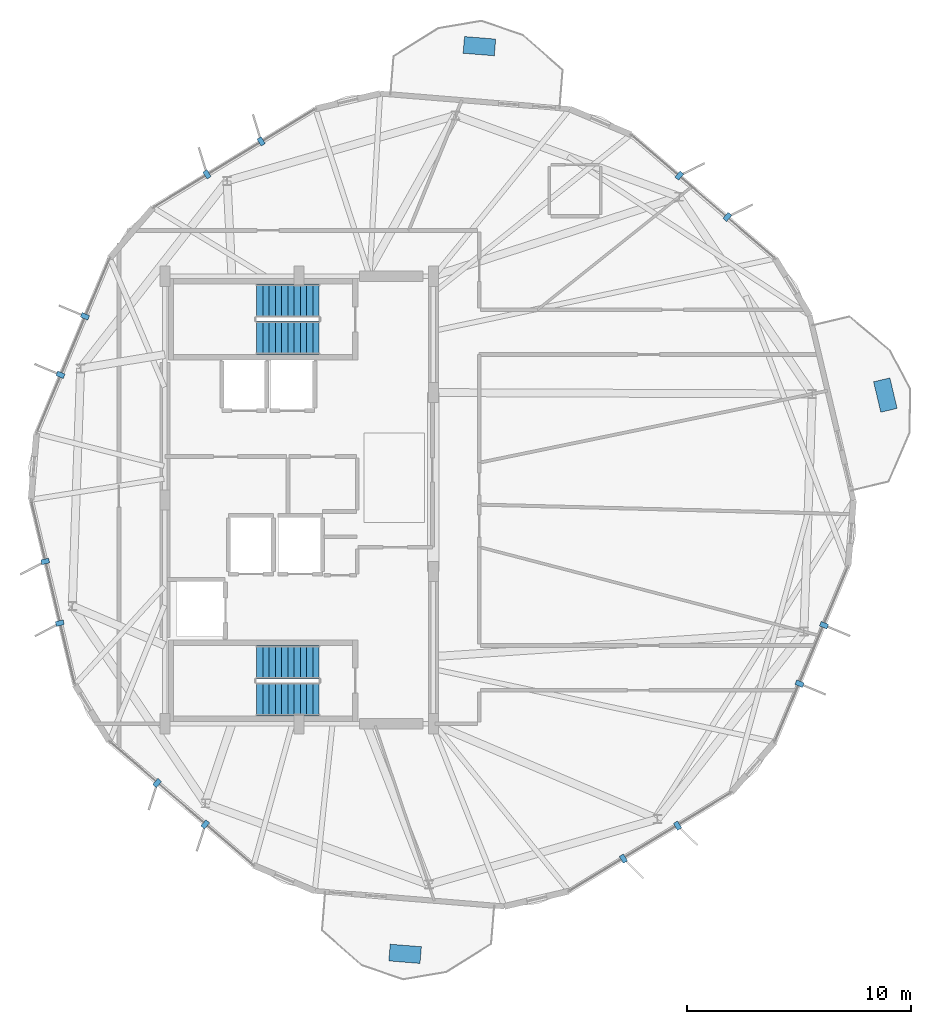
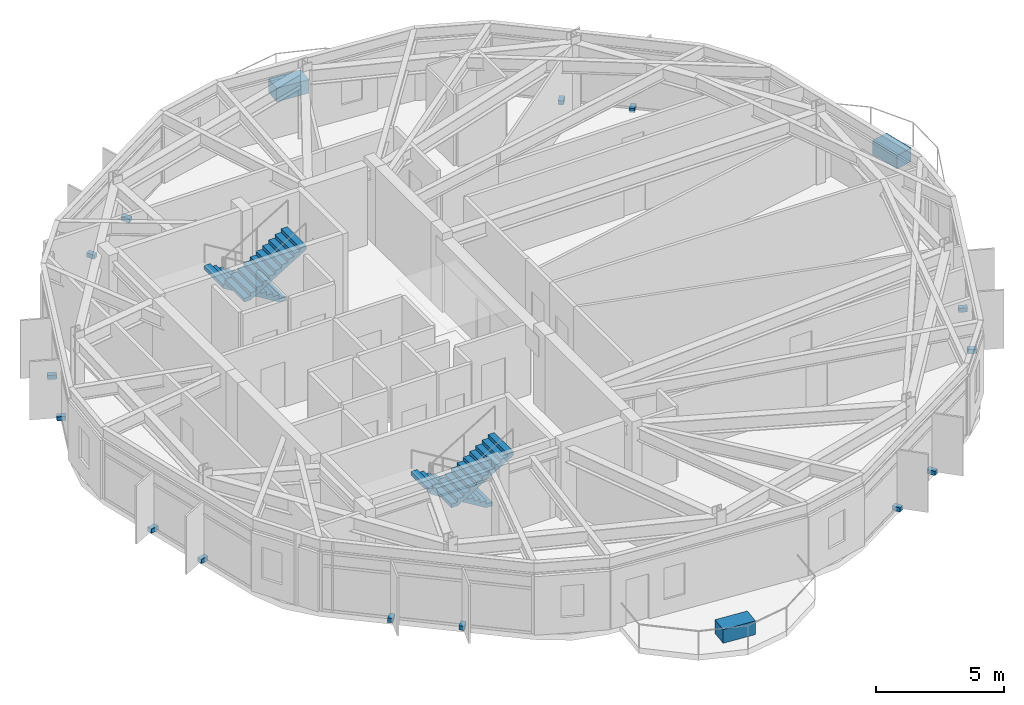
# One storey, part 20 of 23: 17 discrete accessories, 4 stair flights, 2 elements without a shape of their own.
"""IFC4 building model written with IfcOpenShell, lengths in metres."""

from ifc_helpers import new_model, si_unit, direction, frame, origin, origin_2d, place, context, subcontext, project, spatial, polyline, rectangle, outline, extrude, material, layer, layer_set, type_object, element, aggregate, save


model = new_model("IFC4")

# Units and contexts
model_context = context("Model", 3, precision=1e-05, world=origin(), true_north=direction((0.0, 1.0)))
body_context = subcontext(model_context, "Body", "Model", "MODEL_VIEW")
ifc_project = project(units=[si_unit("LENGTHUNIT", "METRE"), si_unit("AREAUNIT", "SQUARE_METRE"), si_unit("VOLUMEUNIT", "CUBIC_METRE"), si_unit("PLANEANGLEUNIT", "RADIAN"), si_unit("MASSUNIT", "GRAM", prefix="KILO")], contexts=[model_context])

# Site, building, storey
site_placement = place(None, origin())
site = spatial("IfcSite", under=ifc_project, at=site_placement, CompositionType="ELEMENT")
building_placement = place(site_placement, origin())
building = spatial("IfcBuilding", under=site, at=building_placement, Name="Soratama Intermodal Tower", CompositionType="ELEMENT")
storey_placement = place(building_placement, frame((0.0, 0.0, 280.0)))
storey = spatial("IfcBuildingStorey", under=building, at=storey_placement, Name="L71", CompositionType="ELEMENT", Elevation=280.0)

# Stair, stair flights
ifc_material_1 = material(Name="Concrete f'c 42 MPa", Category="concrete")
stair_type = type_object("IfcStairType", Name="ST-CORE-DOGLEG", PredefinedType="HALF_TURN_STAIR", material=ifc_material_1)
stair_1_placement = place(storey_placement, origin())
stair_1 = element("IfcStair", 1, at=stair_1_placement, inside=storey, type_object=stair_type, Name="L71 ST-1", PredefinedType="HALF_TURN_STAIR")
ifc_material_2 = material(Name="Precast concrete f'c 40 MPa", Category="concrete")
ifc_layer = layer(ifc_material_2, 0.199951171875)
ifc_layer_set = layer_set([ifc_layer], Name="Precast concrete f'c 40 MPa")
stair_flight_type = type_object("IfcStairFlightType", Name="SF-FLIGHT-RC", PredefinedType="STRAIGHT", material=ifc_layer_set)
stair_flight_1_placement = place(storey_placement, frame((39.5, 17.75, 0.0), z_axis=(0.0, 0.0, 1.0), x_axis=(-1.0, 0.0, 0.0)))
stair_flight_1 = element("IfcStairFlight", 2, at=stair_flight_1_placement, type_object=stair_flight_type, Name="ST-1 flight 1", NumberOfRisers=11, NumberOfTreads=10, PredefinedType="STRAIGHT", RiserHeight=0.170454545, TreadLength=0.28, context=body_context, shape_type="SweptSolid", body=[
    extrude(outline(polyline([(0.0, 0.0), (0.0, 0.17041015625), (0.280029296875, 0.17041015625), (0.280029296875, 0.3408203125), (0.56005859375, 0.3408203125), (0.56005859375, 0.511474609375), (0.840087890625, 0.511474609375), (0.840087890625, 0.681884765625), (1.1201171875, 0.681884765625), (1.1201171875, 0.852294921875), (1.39990234375, 0.852294921875), (1.39990234375, 1.022705078125), (1.679931640625, 1.022705078125), (1.679931640625, 1.193115234375), (1.9599609375, 1.193115234375), (1.9599609375, 1.363525390625), (2.239990234375, 1.363525390625), (2.239990234375, 1.5341796875), (2.52001953125, 1.5341796875), (2.52001953125, 1.70458984375), (2.800048828125, 1.70458984375), (2.800048828125, 1.875), (2.800048828125, 1.529052734375), (0.288330078125, 0.0), (0.0, 0.0)])), frame((0.0, 0.75, 0.0), z_axis=(0.0, -1.0, 0.0), x_axis=(1.0, 0.0, 0.0)), (0.0, 0.0, 1.0), 1.5),
])
stair_flight_2_placement = place(storey_placement, frame((36.699951171875, 16.10009765625, 1.875), z_axis=(0.0, 0.0, 1.0), x_axis=(1.0, 0.0, 0.0)))
stair_flight_2 = element("IfcStairFlight", 3, at=stair_flight_2_placement, type_object=stair_flight_type, Name="ST-1 flight 2", NumberOfRisers=11, NumberOfTreads=10, PredefinedType="STRAIGHT", RiserHeight=0.170454545, TreadLength=0.28, context=body_context, shape_type="SweptSolid", body=[
    extrude(outline(polyline([(0.0, 0.0), (0.0, 0.17041015625), (0.280029296875, 0.17041015625), (0.280029296875, 0.3408203125), (0.56005859375, 0.3408203125), (0.56005859375, 0.511474609375), (0.840087890625, 0.511474609375), (0.840087890625, 0.681884765625), (1.1201171875, 0.681884765625), (1.1201171875, 0.852294921875), (1.39990234375, 0.852294921875), (1.39990234375, 1.022705078125), (1.679931640625, 1.022705078125), (1.679931640625, 1.193115234375), (1.9599609375, 1.193115234375), (1.9599609375, 1.363525390625), (2.239990234375, 1.363525390625), (2.239990234375, 1.5341796875), (2.52001953125, 1.5341796875), (2.52001953125, 1.70458984375), (2.800048828125, 1.70458984375), (2.800048828125, 1.875), (2.800048828125, 1.529052734375), (0.288330078125, 0.0), (0.0, 0.0)])), frame((0.0, 0.75, 0.0), z_axis=(0.0, -1.0, 0.0), x_axis=(1.0, 0.0, 0.0)), (0.0, 0.0, 1.0), 1.5),
])
aggregate(stair_1, [stair_flight_1, stair_flight_2])

stair_2_placement = place(storey_placement, origin())
stair_2 = element("IfcStair", 4, at=stair_2_placement, inside=storey, type_object=stair_type, Name="L71 ST-2", PredefinedType="HALF_TURN_STAIR")
stair_flight_3_placement = place(storey_placement, frame((39.5, 33.89990234375, 0.0), z_axis=(0.0, 0.0, 1.0), x_axis=(-1.0, 0.0, 0.0)))
stair_flight_3 = element("IfcStairFlight", 5, at=stair_flight_3_placement, type_object=stair_flight_type, Name="ST-2 flight 1", NumberOfRisers=11, NumberOfTreads=10, PredefinedType="STRAIGHT", RiserHeight=0.170454545, TreadLength=0.28, context=body_context, shape_type="SweptSolid", body=[
    extrude(outline(polyline([(0.0, 0.0), (0.0, 0.17041015625), (0.280029296875, 0.17041015625), (0.280029296875, 0.3408203125), (0.56005859375, 0.3408203125), (0.56005859375, 0.511474609375), (0.840087890625, 0.511474609375), (0.840087890625, 0.681884765625), (1.1201171875, 0.681884765625), (1.1201171875, 0.852294921875), (1.39990234375, 0.852294921875), (1.39990234375, 1.022705078125), (1.679931640625, 1.022705078125), (1.679931640625, 1.193115234375), (1.9599609375, 1.193115234375), (1.9599609375, 1.363525390625), (2.239990234375, 1.363525390625), (2.239990234375, 1.5341796875), (2.52001953125, 1.5341796875), (2.52001953125, 1.70458984375), (2.800048828125, 1.70458984375), (2.800048828125, 1.875), (2.800048828125, 1.529052734375), (0.288330078125, 0.0), (0.0, 0.0)])), frame((0.0, 0.75, 0.0), z_axis=(0.0, -1.0, 0.0), x_axis=(1.0, 0.0, 0.0)), (0.0, 0.0, 1.0), 1.5),
])
stair_flight_4_placement = place(storey_placement, frame((36.699951171875, 32.25, 1.875), z_axis=(0.0, 0.0, 1.0), x_axis=(1.0, 0.0, 0.0)))
stair_flight_4 = element("IfcStairFlight", 6, at=stair_flight_4_placement, type_object=stair_flight_type, Name="ST-2 flight 2", NumberOfRisers=11, NumberOfTreads=10, PredefinedType="STRAIGHT", RiserHeight=0.170454545, TreadLength=0.28, context=body_context, shape_type="SweptSolid", body=[
    extrude(outline(polyline([(0.0, 0.0), (0.0, 0.17041015625), (0.280029296875, 0.17041015625), (0.280029296875, 0.3408203125), (0.56005859375, 0.3408203125), (0.56005859375, 0.511474609375), (0.840087890625, 0.511474609375), (0.840087890625, 0.681884765625), (1.1201171875, 0.681884765625), (1.1201171875, 0.852294921875), (1.39990234375, 0.852294921875), (1.39990234375, 1.022705078125), (1.679931640625, 1.022705078125), (1.679931640625, 1.193115234375), (1.9599609375, 1.193115234375), (1.9599609375, 1.363525390625), (2.239990234375, 1.363525390625), (2.239990234375, 1.5341796875), (2.52001953125, 1.5341796875), (2.52001953125, 1.70458984375), (2.800048828125, 1.70458984375), (2.800048828125, 1.875), (2.800048828125, 1.529052734375), (0.288330078125, 0.0), (0.0, 0.0)])), frame((0.0, 0.75, 0.0), z_axis=(0.0, -1.0, 0.0), x_axis=(1.0, 0.0, 0.0)), (0.0, 0.0, 1.0), 1.5),
])
aggregate(stair_2, [stair_flight_3, stair_flight_4])

# Discrete accessories
ifc_material_3 = material(Name="Structural steel ASTM A992 Grade 50", Category="steel")
discrete_accessory_type_1 = type_object("IfcDiscreteAccessoryType", Name="AC-FIN-BRACKET", PredefinedType="BRACKET", material=ifc_material_3)
for number, where, z_axis, x_axis, name in (
    (7, (36.905517578125, 41.02783203125, -0.080078125), (0.0, 0.0, 1.0), (-0.519817342621, 0.854277431699, 0.0), "L71 Fin Bracket F02-1"),
    (8, (34.485107421875, 39.55517578125, -0.080078125), (0.0, 0.0, 1.0), (-0.519817342621, 0.854277431699, 0.0), "L71 Fin Bracket F02-2"),
    (9, (29.030517578125, 33.208984375, -0.080078125), (0.0, 0.0, 1.0), (-0.92267273987, 0.385583992277, 0.0), "L71 Fin Bracket F03-1"),
    (10, (27.93798828125, 30.5947265625, -0.080078125), (0.0, 0.0, 1.0), (-0.92267273987, 0.385583992277, 0.0), "L71 Fin Bracket F03-2"),
    (11, (27.25537109375, 22.254638671875, -0.080078125), (0.0, 0.0, 1.0), (-0.973098510982, -0.230389426677, 0.0), "L71 Fin Bracket F04-1"),
    (12, (27.908203125, 19.49755859375, -0.080078125), (0.0, 0.0, 1.0), (-0.973098510982, -0.230389426677, 0.0), "L71 Fin Bracket F04-2"),
    (13, (32.2578125, 12.348876953125, -0.080078125), (0.0, 0.0, 1.0), (-0.651833725301, -0.758361915289, 0.0), "L71 Fin Bracket F05-1"),
    (14, (34.406494140625, 10.501953125, -0.080078125), (0.0, 0.0, 1.0), (-0.651833725301, -0.758361915289, 0.0), "L71 Fin Bracket F05-2"),
    (15, (53.094482421875, 8.97216796875, -0.080078125), (0.0, 0.0, 1.0), (0.519817342621, -0.854277431699, 0.0), "L71 Fin Bracket F07-1"),
    (16, (55.514892578125, 10.44482421875, -0.080078125), (0.0, 0.0, 1.0), (0.519817342621, -0.854277431699, 0.0), "L71 Fin Bracket F07-2"),
    (17, (60.969482421875, 16.791015625, -0.080078125), (0.0, 0.0, 1.0), (0.92267273987, -0.385583992277, 0.0), "L71 Fin Bracket F08-1"),
    (18, (62.06201171875, 19.4052734375, -0.080078125), (0.0, 0.0, 1.0), (0.92267273987, -0.385583992277, 0.0), "L71 Fin Bracket F08-2"),
    (19, (57.7421875, 37.651123046875, -0.080078125), (0.0, 0.0, 1.0), (0.651833725301, 0.758361915289, 0.0), "L71 Fin Bracket F10-1"),
    (20, (55.593505859375, 39.498046875, -0.080078125), (0.0, 0.0, 1.0), (0.651833725301, 0.758361915289, 0.0), "L71 Fin Bracket F10-2"),
):
    element("IfcDiscreteAccessory", number, at=place(storey_placement, frame(where, z_axis=z_axis, x_axis=x_axis)), inside=storey, type_object=discrete_accessory_type_1, Name=name, PredefinedType="BRACKET", context=body_context, shape_type="SweptSolid", body=[
        extrude(rectangle(XDim=0.360107421875, YDim=0.219970703125, at=origin_2d()), origin(), (0.0, 0.0, 1.0), 0.199951171875),
    ])
ifc_material_4 = material(Name="Precast concrete f'c 40 MPa", Category="concrete")
discrete_accessory_type_2 = type_object("IfcDiscreteAccessoryType", Name="AC-PLANTER-TREE", PredefinedType="USERDEFINED", material=ifc_material_4)
for number, where, z_axis, x_axis, name in (
    (21, (64.802490234375, 29.6884765625, 0.0), (0.0, 0.0, 1.0), (0.973098510982, 0.230389426677, 0.0), "L71 Tree Planter 1"),
    (22, (46.660400390625, 45.281982421875, 0.0), (0.0, 0.0, 1.0), (0.081590611568, 0.996665928034, 0.0), "L71 Tree Planter 2"),
    (23, (43.339599609375, 4.718017578125, 0.0), (0.0, 0.0, 1.0), (-0.081590611568, -0.996665928034, 0.0), "L71 Tree Planter 3"),
):
    element("IfcDiscreteAccessory", number, at=place(storey_placement, frame(where, z_axis=z_axis, x_axis=x_axis)), inside=storey, type_object=discrete_accessory_type_2, Name=name, ObjectType="PLANTER", PredefinedType="USERDEFINED", context=body_context, shape_type="SweptSolid", body=[
        extrude(rectangle(XDim=0.75, YDim=1.39990234375, at=origin_2d()), origin(), (0.0, 0.0, 1.0), 0.64990234375),
    ])

save(model, "model.ifc")
